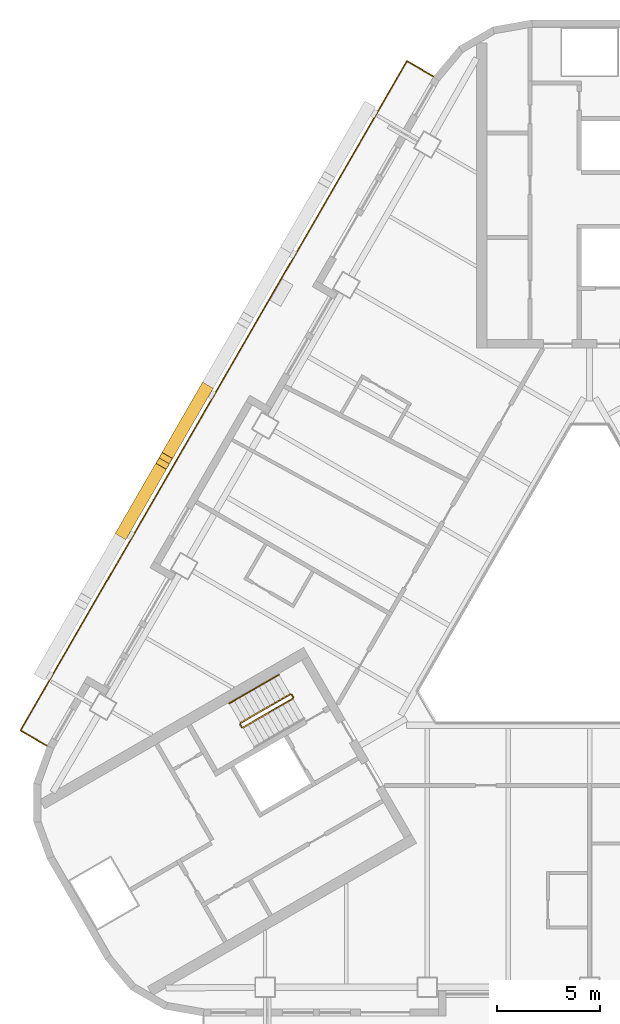
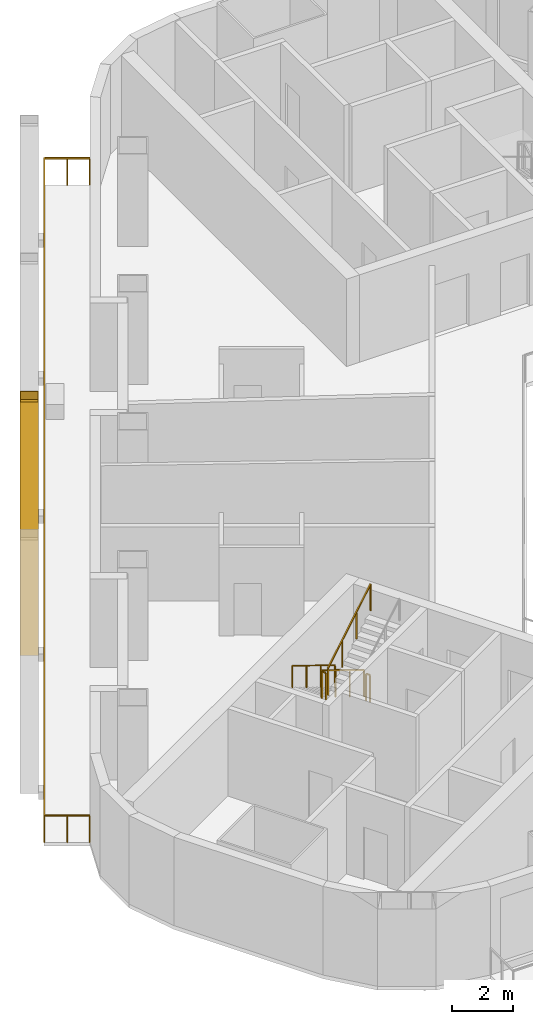
# One storey, part 9 of 13: 6 railings, 2 shading devices.
"""IFC4 building model written with IfcOpenShell, lengths in metres."""

from ifc_helpers import new_model, si_unit, direction, frame, origin, origin_2d, place, context, subcontext, project, spatial, rectangle, hollow_rectangle, circle, extrude, material, material_profile, profile_set, type_object, element, save


model = new_model("IFC4")

# Units and contexts
model_context = context("Model", 3, precision=1e-05, world=origin(), true_north=direction((0.0, 1.0)))
body_context = subcontext(model_context, "Body", "Model", "MODEL_VIEW")
ifc_project = project(units=[si_unit("LENGTHUNIT", "METRE"), si_unit("AREAUNIT", "SQUARE_METRE"), si_unit("VOLUMEUNIT", "CUBIC_METRE"), si_unit("PLANEANGLEUNIT", "RADIAN"), si_unit("MASSUNIT", "GRAM", prefix="KILO")], contexts=[model_context])

# Site, building, storey
site_placement = place(None, origin())
site = spatial("IfcSite", under=ifc_project, at=site_placement, CompositionType="ELEMENT")
building_placement = place(site_placement, origin())
building = spatial("IfcBuilding", under=site, at=building_placement, Name="Apuvela Tower Hotel", CompositionType="ELEMENT")
storey_placement = place(building_placement, frame((0.0, 0.0, 61.300048828125)))
storey = spatial("IfcBuildingStorey", under=building, at=storey_placement, Name="L12", CompositionType="ELEMENT", Elevation=61.300048828125)

# Railings
ifc_material_1 = material(Name="Steel S275 balustrade", Category="steel")
railing_type_1 = type_object("IfcRailingType", Name="COR-GUARD-1100", PredefinedType="GUARDRAIL", material=ifc_material_1)
railing_1_placement = place(storey_placement, frame((-14.569091796875, -3.9658203125, 0.168212890625)))
element("IfcRailing", 1, at=railing_1_placement, inside=storey, type_object=railing_type_1, Name="L12 ST2 stair guard 1", PredefinedType="GUARDRAIL", context=body_context, shape_type="SweptSolid", body=[
    extrude(rectangle(XDim=0.048095703125, YDim=0.048095703125, at=origin_2d()), frame((0.0, 0.0, 1.076171875), z_axis=(-0.74241905619, -0.428617687091, 0.514879426), x_axis=(0.49998411664, -0.866034573852, 0.0)), (0.0, 0.0, 1.0), 3.26611328125),
    extrude(rectangle(XDim=0.0419921875, YDim=0.0419921875, at=origin_2d()), origin(), (0.0, 0.0, 1.0), 1.052001953125),
    extrude(rectangle(XDim=0.0419921875, YDim=0.0419921875, at=origin_2d()), frame((-0.808349609375, -0.466552734375, 0.560546875)), (0.0, 0.0, 1.0), 1.052001953125),
    extrude(rectangle(XDim=0.0419921875, YDim=0.0419921875, at=origin_2d()), frame((-1.616455078125, -0.933349609375, 1.12109375)), (0.0, 0.0, 1.0), 1.052001953125),
    extrude(rectangle(XDim=0.0419921875, YDim=0.0419921875, at=origin_2d()), frame((-2.4248046875, -1.39990234375, 1.681640625)), (0.0, 0.0, 1.0), 1.052001953125),
])
railing_2_placement = place(storey_placement, frame((-17.01220703125, -5.43408203125, 1.849853515625)))
element("IfcRailing", 2, at=railing_2_placement, inside=storey, type_object=railing_type_1, Name="L12 ST2 stair guard 2", PredefinedType="GUARDRAIL", context=body_context, shape_type="SweptSolid", body=[
    extrude(rectangle(XDim=0.048095703125, YDim=0.048095703125, at=origin_2d()), frame((0.0, 0.0, 1.076171875), z_axis=(0.499816412211, -0.866131372301, 0.0), x_axis=(0.866131372301, 0.499816412211, 0.0)), (0.0, 0.0, 1.0), 0.14990234375),
    extrude(rectangle(XDim=0.0419921875, YDim=0.0419921875, at=origin_2d()), origin(), (0.0, 0.0, 1.0), 1.052001953125),
    extrude(rectangle(XDim=0.0419921875, YDim=0.0419921875, at=origin_2d()), frame((0.074951171875, -0.1298828125, 0.0)), (0.0, 0.0, 1.0), 1.052001953125),
])
railing_3_placement = place(storey_placement, frame((-16.868896484375, -5.582275390625, 2.01806640625)))
element("IfcRailing", 3, at=railing_3_placement, inside=storey, type_object=railing_type_1, Name="L12 ST2 stair guard 3", PredefinedType="GUARDRAIL", context=body_context, shape_type="SweptSolid", body=[
    extrude(rectangle(XDim=0.048095703125, YDim=0.048095703125, at=origin_2d()), frame((0.0, 0.0, 1.076171875), z_axis=(0.742390482028, 0.42860119049, 0.514934356695), x_axis=(-0.49998411664, 0.866034573852, 0.0)), (0.0, 0.0, 1.0), 3.26611328125),
    extrude(rectangle(XDim=0.0419921875, YDim=0.0419921875, at=origin_2d()), origin(), (0.0, 0.0, 1.0), 1.052001953125),
    extrude(rectangle(XDim=0.0419921875, YDim=0.0419921875, at=origin_2d()), frame((0.808349609375, 0.466552734375, 0.560546875)), (0.0, 0.0, 1.0), 1.052001953125),
    extrude(rectangle(XDim=0.0419921875, YDim=0.0419921875, at=origin_2d()), frame((1.616455078125, 0.933349609375, 1.121337890625)), (0.0, 0.0, 1.0), 1.052001953125),
    extrude(rectangle(XDim=0.0419921875, YDim=0.0419921875, at=origin_2d()), frame((2.4248046875, 1.39990234375, 1.681884765625)), (0.0, 0.0, 1.0), 1.052001953125),
])
railing_4_placement = place(storey_placement, frame((-14.500732421875, -3.984130859375, 0.0)))
element("IfcRailing", 4, at=railing_4_placement, inside=storey, type_object=railing_type_1, Name="L12 ST2 stair guard 4", PredefinedType="GUARDRAIL", context=body_context, shape_type="SweptSolid", body=[
    extrude(rectangle(XDim=0.048095703125, YDim=0.048095703125, at=origin_2d()), frame((0.0, 0.0, 1.076171875), z_axis=(0.499816412211, -0.866131372301, 0.0), x_axis=(0.866131372301, 0.499816412211, 0.0)), (0.0, 0.0, 1.0), 0.14990234375),
    extrude(rectangle(XDim=0.0419921875, YDim=0.0419921875, at=origin_2d()), origin(), (0.0, 0.0, 1.0), 1.052001953125),
    extrude(rectangle(XDim=0.0419921875, YDim=0.0419921875, at=origin_2d()), frame((0.074951171875, -0.1298828125, 0.0)), (0.0, 0.0, 1.0), 1.052001953125),
])
ifc_material_2 = material(Name="Stainless steel 316 handrail", Category="steel")
railing_type_2 = type_object("IfcRailingType", Name="COR-HANDRAIL-900", PredefinedType="HANDRAIL", material=ifc_material_2)
railing_5_placement = place(storey_placement, frame((-15.118896484375, -3.01318359375, 0.168212890625)))
element("IfcRailing", 5, at=railing_5_placement, inside=storey, type_object=railing_type_2, Name="L12 ST2 stair handrail 1", PredefinedType="HANDRAIL", context=body_context, shape_type="SweptSolid", body=[
    extrude(circle(Radius=0.02392578125, at=origin_2d()), frame((0.0, 0.0, 0.8759765625), z_axis=(-0.742452602333, -0.428593901316, 0.514850853203), x_axis=(0.49994636267, -0.866056369097, 0.0)), (0.0, 0.0, 1.0), 3.266357421875),
    extrude(rectangle(XDim=0.0419921875, YDim=0.0419921875, at=origin_2d()), origin(), (0.0, 0.0, 1.0), 0.851806640625),
    extrude(rectangle(XDim=0.0419921875, YDim=0.0419921875, at=origin_2d()), frame((-0.808349609375, -0.466552734375, 0.560546875)), (0.0, 0.0, 1.0), 0.851806640625),
    extrude(rectangle(XDim=0.0419921875, YDim=0.0419921875, at=origin_2d()), frame((-1.61669921875, -0.933349609375, 1.12109375)), (0.0, 0.0, 1.0), 0.851806640625),
    extrude(rectangle(XDim=0.0419921875, YDim=0.0419921875, at=origin_2d()), frame((-2.425048828125, -1.39990234375, 1.681640625)), (0.0, 0.0, 1.0), 0.851806640625),
])

# Shading devices
ifc_material_3 = material(Name="Aluminium 6063-T6, black anodised", Category="aluminium")
ifc_material_profile = material_profile(ifc_material_3, hollow_rectangle(XDim=0.60009765625, YDim=0.699951171875, WallThickness=0.011962890625, at=origin_2d()), Name="AL BOX 700x600x12")
ifc_profile_set = profile_set([ifc_material_profile], Name="Aluminium 6063-T6, black anodised")
shading_device_type = type_object("IfcShadingDeviceType", Name="ENV-FIN-700x600", PredefinedType="USERDEFINED", material=ifc_profile_set)
shading_device_1_placement = place(storey_placement, frame((-18.732177734375, 10.81494140625, -0.10009765625), z_axis=(-0.235430342887, -0.407790151341, 0.882201647084), x_axis=(0.866032218625, -0.499988196164, 0.0)))
element("IfcShadingDevice", 6, at=shading_device_1_placement, inside=storey, type_object=shading_device_type, Name="Lattice fin NW117", ObjectType="FIN", PredefinedType="USERDEFINED", context=body_context, shape_type="SweptSolid", body=[
    extrude(hollow_rectangle(XDim=0.60009765625, YDim=0.699951171875, WallThickness=0.011962890625, at=origin_2d()), origin(), (0.0, 0.0, 1.0), 8.38818359375),
])
shading_device_2_placement = place(storey_placement, frame((-22.68212890625, 3.973388671875, -0.10009765625), z_axis=(0.235455039791, 0.407811621453, 0.882185131163), x_axis=(-0.866020906874, 0.500007788796, 0.0)))
element("IfcShadingDevice", 7, at=shading_device_2_placement, inside=storey, type_object=shading_device_type, Name="Lattice fin NW118", ObjectType="FIN", PredefinedType="USERDEFINED", context=body_context, shape_type="SweptSolid", body=[
    extrude(hollow_rectangle(XDim=0.60009765625, YDim=0.699951171875, WallThickness=0.011962890625, at=origin_2d()), origin(), (0.0, 0.0, 1.0), 8.388427734375),
])

# Railing
ifc_material_4 = material(Name="Stainless steel 316 rail with laminated glass infill", Category="steel")
railing_type_3 = type_object("IfcRailingType", Name="ENV-GUARD-1100", PredefinedType="GUARDRAIL", material=ifc_material_4)
railing_6_placement = place(storey_placement, frame((-7.59228515625, 26.110107421875, 0.0)))
element("IfcRailing", 8, at=railing_6_placement, inside=storey, type_object=railing_type_3, Name="Balcony guard NW L12", PredefinedType="GUARDRAIL", context=body_context, shape_type="SweptSolid", body=[
    extrude(rectangle(XDim=0.050048828125, YDim=0.050048828125, at=origin_2d()), frame((0.0, 0.0, 1.0751953125), z_axis=(-0.86599040064, 0.500060622324, 0.0), x_axis=(-0.500060622324, -0.86599040064, 0.0)), (0.0, 0.0, 1.0), 1.499755859375),
    extrude(rectangle(XDim=0.050048828125, YDim=0.050048828125, at=origin_2d()), frame((-1.298828125, 0.75, 1.0751953125), z_axis=(-0.500000437506, -0.86602515119, 0.0), x_axis=(0.86602515119, -0.500000437506, 0.0)), (0.0, 0.0, 1.0), 37.6318359375),
    extrude(rectangle(XDim=0.050048828125, YDim=0.050048828125, at=origin_2d()), frame((-20.11474609375, -31.840087890625, 1.0751953125), z_axis=(0.866031096941, -0.499990139034, 0.0), x_axis=(0.499990139034, 0.866031096941, 0.0)), (0.0, 0.0, 1.0), 1.5),
    extrude(rectangle(XDim=0.0400390625, YDim=0.0400390625, at=origin_2d()), origin(), (0.0, 0.0, 1.0), 1.050048828125),
    extrude(rectangle(XDim=0.0400390625, YDim=0.0400390625, at=origin_2d()), frame((-0.6494140625, 0.375, 0.0)), (0.0, 0.0, 1.0), 1.050048828125),
    extrude(rectangle(XDim=0.0400390625, YDim=0.0400390625, at=origin_2d()), frame((-1.298828125, 0.75, 0.0)), (0.0, 0.0, 1.0), 1.050048828125),
    extrude(rectangle(XDim=0.0400390625, YDim=0.0400390625, at=origin_2d()), frame((-1.88671875, -0.2685546875, 0.0)), (0.0, 0.0, 1.0), 1.050048828125),
    extrude(rectangle(XDim=0.0400390625, YDim=0.0400390625, at=origin_2d()), frame((-2.474853515625, -1.286865234375, 0.0)), (0.0, 0.0, 1.0), 1.050048828125),
    extrude(rectangle(XDim=0.0400390625, YDim=0.0400390625, at=origin_2d()), frame((-3.062744140625, -2.305419921875, 0.0)), (0.0, 0.0, 1.0), 1.050048828125),
    extrude(rectangle(XDim=0.0400390625, YDim=0.0400390625, at=origin_2d()), frame((-3.65087890625, -3.32373046875, 0.0)), (0.0, 0.0, 1.0), 1.050048828125),
    extrude(rectangle(XDim=0.0400390625, YDim=0.0400390625, at=origin_2d()), frame((-4.23876953125, -4.34228515625, 0.0)), (0.0, 0.0, 1.0), 1.050048828125),
    extrude(rectangle(XDim=0.0400390625, YDim=0.0400390625, at=origin_2d()), frame((-4.826904296875, -5.360595703125, 0.0)), (0.0, 0.0, 1.0), 1.050048828125),
    extrude(rectangle(XDim=0.0400390625, YDim=0.0400390625, at=origin_2d()), frame((-5.414794921875, -6.379150390625, 0.0)), (0.0, 0.0, 1.0), 1.050048828125),
    extrude(rectangle(XDim=0.0400390625, YDim=0.0400390625, at=origin_2d()), frame((-6.0029296875, -7.3974609375, 0.0)), (0.0, 0.0, 1.0), 1.050048828125),
    extrude(rectangle(XDim=0.0400390625, YDim=0.0400390625, at=origin_2d()), frame((-6.5908203125, -8.416015625, 0.0)), (0.0, 0.0, 1.0), 1.050048828125),
    extrude(rectangle(XDim=0.0400390625, YDim=0.0400390625, at=origin_2d()), frame((-7.1787109375, -9.434326171875, 0.0)), (0.0, 0.0, 1.0), 1.050048828125),
    extrude(rectangle(XDim=0.0400390625, YDim=0.0400390625, at=origin_2d()), frame((-7.766845703125, -10.452880859375, 0.0)), (0.0, 0.0, 1.0), 1.050048828125),
    extrude(rectangle(XDim=0.0400390625, YDim=0.0400390625, at=origin_2d()), frame((-8.354736328125, -11.47119140625, 0.0)), (0.0, 0.0, 1.0), 1.050048828125),
    extrude(rectangle(XDim=0.0400390625, YDim=0.0400390625, at=origin_2d()), frame((-8.94287109375, -12.48974609375, 0.0)), (0.0, 0.0, 1.0), 1.050048828125),
    extrude(rectangle(XDim=0.0400390625, YDim=0.0400390625, at=origin_2d()), frame((-9.53076171875, -13.508056640625, 0.0)), (0.0, 0.0, 1.0), 1.050048828125),
    extrude(rectangle(XDim=0.0400390625, YDim=0.0400390625, at=origin_2d()), frame((-10.118896484375, -14.526611328125, 0.0)), (0.0, 0.0, 1.0), 1.050048828125),
    extrude(rectangle(XDim=0.0400390625, YDim=0.0400390625, at=origin_2d()), frame((-10.706787109375, -15.544921875, 0.0)), (0.0, 0.0, 1.0), 1.050048828125),
    extrude(rectangle(XDim=0.0400390625, YDim=0.0400390625, at=origin_2d()), frame((-11.294677734375, -16.5634765625, 0.0)), (0.0, 0.0, 1.0), 1.050048828125),
    extrude(rectangle(XDim=0.0400390625, YDim=0.0400390625, at=origin_2d()), frame((-11.8828125, -17.58203125, 0.0)), (0.0, 0.0, 1.0), 1.050048828125),
    extrude(rectangle(XDim=0.0400390625, YDim=0.0400390625, at=origin_2d()), frame((-12.470703125, -18.600341796875, 0.0)), (0.0, 0.0, 1.0), 1.050048828125),
    extrude(rectangle(XDim=0.0400390625, YDim=0.0400390625, at=origin_2d()), frame((-13.058837890625, -19.618896484375, 0.0)), (0.0, 0.0, 1.0), 1.050048828125),
    extrude(rectangle(XDim=0.0400390625, YDim=0.0400390625, at=origin_2d()), frame((-13.646728515625, -20.63720703125, 0.0)), (0.0, 0.0, 1.0), 1.050048828125),
    extrude(rectangle(XDim=0.0400390625, YDim=0.0400390625, at=origin_2d()), frame((-14.23486328125, -21.65576171875, 0.0)), (0.0, 0.0, 1.0), 1.050048828125),
    extrude(rectangle(XDim=0.0400390625, YDim=0.0400390625, at=origin_2d()), frame((-14.82275390625, -22.674072265625, 0.0)), (0.0, 0.0, 1.0), 1.050048828125),
    extrude(rectangle(XDim=0.0400390625, YDim=0.0400390625, at=origin_2d()), frame((-15.41064453125, -23.692626953125, 0.0)), (0.0, 0.0, 1.0), 1.050048828125),
    extrude(rectangle(XDim=0.0400390625, YDim=0.0400390625, at=origin_2d()), frame((-15.998779296875, -24.7109375, 0.0)), (0.0, 0.0, 1.0), 1.050048828125),
    extrude(rectangle(XDim=0.0400390625, YDim=0.0400390625, at=origin_2d()), frame((-16.586669921875, -25.7294921875, 0.0)), (0.0, 0.0, 1.0), 1.050048828125),
    extrude(rectangle(XDim=0.0400390625, YDim=0.0400390625, at=origin_2d()), frame((-17.1748046875, -26.747802734375, 0.0)), (0.0, 0.0, 1.0), 1.050048828125),
    extrude(rectangle(XDim=0.0400390625, YDim=0.0400390625, at=origin_2d()), frame((-17.7626953125, -27.766357421875, 0.0)), (0.0, 0.0, 1.0), 1.050048828125),
    extrude(rectangle(XDim=0.0400390625, YDim=0.0400390625, at=origin_2d()), frame((-18.350830078125, -28.78466796875, 0.0)), (0.0, 0.0, 1.0), 1.050048828125),
    extrude(rectangle(XDim=0.0400390625, YDim=0.0400390625, at=origin_2d()), frame((-18.938720703125, -29.80322265625, 0.0)), (0.0, 0.0, 1.0), 1.050048828125),
    extrude(rectangle(XDim=0.0400390625, YDim=0.0400390625, at=origin_2d()), frame((-19.52685546875, -30.821533203125, 0.0)), (0.0, 0.0, 1.0), 1.050048828125),
    extrude(rectangle(XDim=0.0400390625, YDim=0.0400390625, at=origin_2d()), frame((-20.11474609375, -31.840087890625, 0.0)), (0.0, 0.0, 1.0), 1.050048828125),
    extrude(rectangle(XDim=0.0400390625, YDim=0.0400390625, at=origin_2d()), frame((-19.46533203125, -32.215087890625, 0.0)), (0.0, 0.0, 1.0), 1.050048828125),
    extrude(rectangle(XDim=0.0400390625, YDim=0.0400390625, at=origin_2d()), frame((-18.815673828125, -32.590087890625, 0.0)), (0.0, 0.0, 1.0), 1.050048828125),
])

save(model, "model.ifc")
